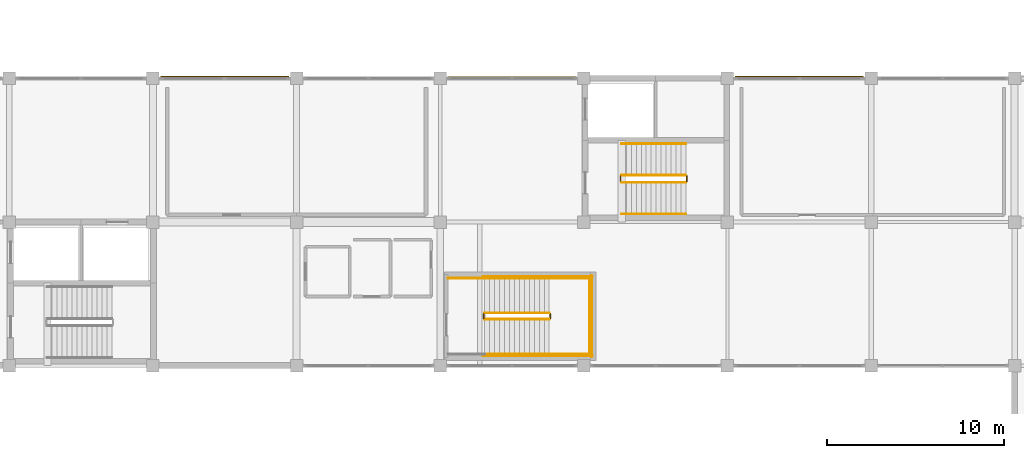
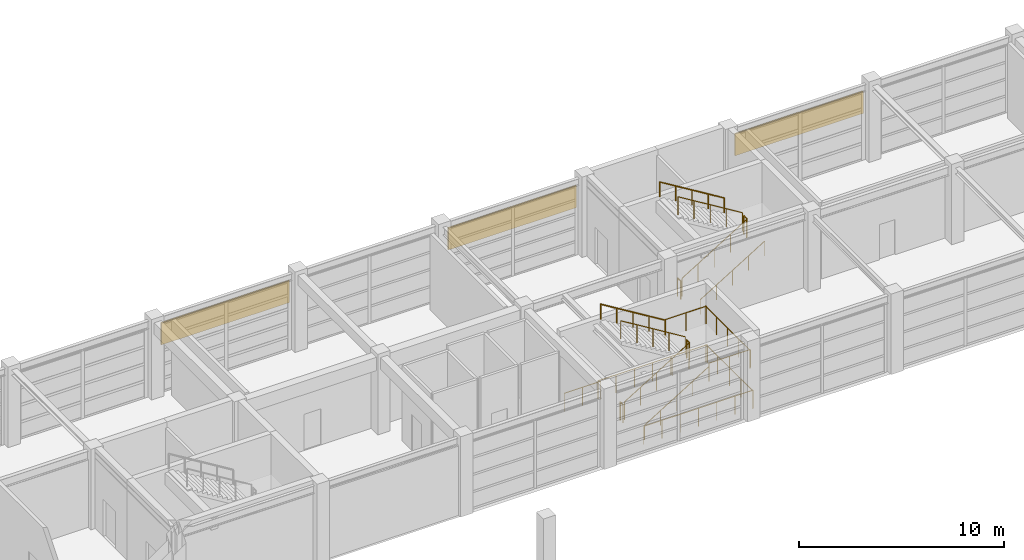
# One storey, part 57 of 58: 19 railings, 3 shading devices.
"""IFC4 building model written with IfcOpenShell, lengths in metres."""

from ifc_helpers import new_model, si_unit, direction, frame, origin, origin_2d, place, context, subcontext, project, spatial, rectangle, circle, extrude, material, layer, layer_set, type_object, element, save


model = new_model("IFC4")

# Units and contexts
model_context = context("Model", 3, precision=1e-05, world=origin(), true_north=direction((0.0, 1.0)))
body_context = subcontext(model_context, "Body", "Model", "MODEL_VIEW")
ifc_project = project(units=[si_unit("LENGTHUNIT", "METRE"), si_unit("AREAUNIT", "SQUARE_METRE"), si_unit("VOLUMEUNIT", "CUBIC_METRE"), si_unit("PLANEANGLEUNIT", "RADIAN"), si_unit("MASSUNIT", "GRAM", prefix="KILO")], contexts=[model_context])

# Site, building, storey
site_placement = place(None, origin())
site = spatial("IfcSite", under=ifc_project, at=site_placement, CompositionType="ELEMENT")
building_placement = place(site_placement, origin())
building = spatial("IfcBuilding", under=site, at=building_placement, Name="Parian Resonance Hall", CompositionType="ELEMENT")
storey_placement = place(building_placement, frame((0.0, 0.0, 10.199951171875)))
storey = spatial("IfcBuildingStorey", under=building, at=storey_placement, Name="L02", CompositionType="ELEMENT", Elevation=10.199951171875)

# Railings
ifc_material_1 = material(Name="Patinated bronze whiplash metalwork")
railing_type_1 = type_object("IfcRailingType", Name="RAIL-HALL-BAL-1120", PredefinedType="BALUSTRADE", material=ifc_material_1)
railing_1_placement = place(storey_placement, frame((83.510009765625, 75.510009765625, 0.17138671875)))
element("IfcRailing", 1, at=railing_1_placement, inside=storey, type_object=railing_type_1, Name="L02 ST-08 stair guard 1", PredefinedType="BALUSTRADE", context=body_context, shape_type="SweptSolid", body=[
    extrude(circle(Radius=0.02392578125, at=origin_2d()), frame((0.0, 0.0, 1.076171875), z_axis=(0.852824790078, 0.0, 0.522197163366), x_axis=(0.0, 1.0, 0.0)), (0.0, 0.0, 1.0), 4.26806640625),
    extrude(circle(Radius=0.02099609375, at=origin_2d()), origin(), (0.0, 0.0, 1.0), 1.052001953125),
    extrude(circle(Radius=0.02099609375, at=origin_2d()), frame((0.909912109375, 0.0, 0.55712890625)), (0.0, 0.0, 1.0), 1.052001953125),
    extrude(circle(Radius=0.02099609375, at=origin_2d()), frame((1.81982421875, 0.0, 1.1142578125)), (0.0, 0.0, 1.0), 1.052001953125),
    extrude(circle(Radius=0.02099609375, at=origin_2d()), frame((2.72998046875, 0.0, 1.671630859375)), (0.0, 0.0, 1.0), 1.052001953125),
    extrude(circle(Radius=0.02099609375, at=origin_2d()), frame((3.639892578125, 0.0, 2.228759765625)), (0.0, 0.0, 1.0), 1.052001953125),
])
railing_2_placement = place(storey_placement, frame((87.199951171875, 75.56005859375, 2.400146484375)))
element("IfcRailing", 2, at=railing_2_placement, inside=storey, type_object=railing_type_1, Name="L02 ST-08 stair guard 2", PredefinedType="BALUSTRADE", context=body_context, shape_type="SweptSolid", body=[
    extrude(circle(Radius=0.02392578125, at=origin_2d()), frame((0.0, 0.0, 1.076171875), z_axis=(0.0, 1.0, 0.0), x_axis=(-1.0, 0.0, 0.0)), (0.0, 0.0, 1.0), 0.260009765625),
    extrude(circle(Radius=0.02099609375, at=origin_2d()), origin(), (0.0, 0.0, 1.0), 1.052001953125),
    extrude(circle(Radius=0.02099609375, at=origin_2d()), frame((0.0, 0.260009765625, 0.0)), (0.0, 0.0, 1.0), 1.052001953125),
])
for number, where, name in (
    (3, (87.14990234375, 73.550048828125, 2.400146484375), "L02 ST-08 stair guard 3"),
    (4, (87.14990234375, 77.830078125, 2.400146484375), "L02 ST-08 stair guard 4"),
):
    element("IfcRailing", number, at=place(storey_placement, frame(where)), inside=storey, type_object=railing_type_1, Name=name, PredefinedType="BALUSTRADE", context=body_context, shape_type="SweptSolid", body=[
        extrude(circle(Radius=0.02392578125, at=origin_2d()), frame((0.0, 0.0, 1.076171875), z_axis=(1.0, 0.0, 0.0), x_axis=(0.0, 1.0, 0.0)), (0.0, 0.0, 1.0), 2.340087890625),
        extrude(circle(Radius=0.02099609375, at=origin_2d()), origin(), (0.0, 0.0, 1.0), 1.052001953125),
        extrude(circle(Radius=0.02099609375, at=origin_2d()), frame((1.169921875, 0.0, 0.0)), (0.0, 0.0, 1.0), 1.052001953125),
        extrude(circle(Radius=0.02099609375, at=origin_2d()), frame((2.340087890625, 0.0, 0.0)), (0.0, 0.0, 1.0), 1.052001953125),
    ])
railing_3_placement = place(storey_placement, frame((89.43994140625, 73.5, 2.400146484375)))
element("IfcRailing", 5, at=railing_3_placement, inside=storey, type_object=railing_type_1, Name="L02 ST-08 stair guard 5", PredefinedType="BALUSTRADE", context=body_context, shape_type="SweptSolid", body=[
    extrude(circle(Radius=0.02392578125, at=origin_2d()), frame((0.0, 0.0, 1.076171875), z_axis=(0.0, 1.0, 0.0), x_axis=(-1.0, 0.0, 0.0)), (0.0, 0.0, 1.0), 4.3798828125),
    extrude(circle(Radius=0.02099609375, at=origin_2d()), origin(), (0.0, 0.0, 1.0), 1.052001953125),
    extrude(circle(Radius=0.02099609375, at=origin_2d()), frame((0.0, 1.094970703125, 0.0)), (0.0, 0.0, 1.0), 1.052001953125),
    extrude(circle(Radius=0.02099609375, at=origin_2d()), frame((0.0, 2.18994140625, 0.0)), (0.0, 0.0, 1.0), 1.052001953125),
    extrude(circle(Radius=0.02099609375, at=origin_2d()), frame((0.0, 3.284912109375, 0.0)), (0.0, 0.0, 1.0), 1.052001953125),
    extrude(circle(Radius=0.02099609375, at=origin_2d()), frame((0.0, 4.3798828125, 0.0)), (0.0, 0.0, 1.0), 1.052001953125),
])
railing_4_placement = place(storey_placement, frame((87.14990234375, 75.8701171875, 2.571533203125)))
element("IfcRailing", 6, at=railing_4_placement, inside=storey, type_object=railing_type_1, Name="L02 ST-08 stair guard 6", PredefinedType="BALUSTRADE", context=body_context, shape_type="SweptSolid", body=[
    extrude(circle(Radius=0.02392578125, at=origin_2d()), frame((0.0, 0.0, 1.076171875), z_axis=(-0.852850264322, 0.0, 0.5221555579), x_axis=(0.0, -1.0, 0.0)), (0.0, 0.0, 1.0), 4.267822265625),
    extrude(circle(Radius=0.02099609375, at=origin_2d()), origin(), (0.0, 0.0, 1.0), 1.052001953125),
    extrude(circle(Radius=0.02099609375, at=origin_2d()), frame((-0.909912109375, 0.0, 0.55712890625)), (0.0, 0.0, 1.0), 1.052001953125),
    extrude(circle(Radius=0.02099609375, at=origin_2d()), frame((-1.81982421875, 0.0, 1.1142578125)), (0.0, 0.0, 1.0), 1.052001953125),
    extrude(circle(Radius=0.02099609375, at=origin_2d()), frame((-2.72998046875, 0.0, 1.67138671875)), (0.0, 0.0, 1.0), 1.052001953125),
    extrude(circle(Radius=0.02099609375, at=origin_2d()), frame((-3.639892578125, 0.0, 2.228515625)), (0.0, 0.0, 1.0), 1.052001953125),
])
railing_5_placement = place(storey_placement, frame((83.4599609375, 75.56005859375, 0.0)))
element("IfcRailing", 7, at=railing_5_placement, inside=storey, type_object=railing_type_1, Name="L02 ST-08 stair guard 7", PredefinedType="BALUSTRADE", context=body_context, shape_type="SweptSolid", body=[
    extrude(circle(Radius=0.02392578125, at=origin_2d()), frame((0.0, 0.0, 1.076171875), z_axis=(0.0, 1.0, 0.0), x_axis=(-1.0, 0.0, 0.0)), (0.0, 0.0, 1.0), 0.260009765625),
    extrude(circle(Radius=0.02099609375, at=origin_2d()), origin(), (0.0, 0.0, 1.0), 1.052001953125),
    extrude(circle(Radius=0.02099609375, at=origin_2d()), frame((0.0, 0.260009765625, 0.0)), (0.0, 0.0, 1.0), 1.052001953125),
])
railing_6_placement = place(storey_placement, frame((81.449951171875, 77.830078125, 0.0)))
element("IfcRailing", 8, at=railing_6_placement, inside=storey, type_object=railing_type_1, Name="L02 ST-08 stair guard 9", PredefinedType="BALUSTRADE", context=body_context, shape_type="SweptSolid", body=[
    extrude(circle(Radius=0.02392578125, at=origin_2d()), frame((0.0, 0.0, 1.076171875), z_axis=(1.0, 0.0, 0.0), x_axis=(0.0, 1.0, 0.0)), (0.0, 0.0, 1.0), 2.06005859375),
    extrude(circle(Radius=0.02099609375, at=origin_2d()), origin(), (0.0, 0.0, 1.0), 1.052001953125),
    extrude(circle(Radius=0.02099609375, at=origin_2d()), frame((1.030029296875, 0.0, 0.0)), (0.0, 0.0, 1.0), 1.052001953125),
    extrude(circle(Radius=0.02099609375, at=origin_2d()), frame((2.06005859375, 0.0, 0.0)), (0.0, 0.0, 1.0), 1.052001953125),
])
for number, where, name in (
    (9, (83.409912109375, 73.449951171875, 0.0), "L02 ST-08 stair guard 10"),
    (10, (83.409912109375, 77.929931640625, 0.0), "L02 ST-08 stair guard 11"),
):
    element("IfcRailing", number, at=place(storey_placement, frame(where)), inside=storey, type_object=railing_type_1, Name=name, PredefinedType="BALUSTRADE", context=body_context, shape_type="SweptSolid", body=[
        extrude(circle(Radius=0.02392578125, at=origin_2d()), frame((0.0, 0.0, 1.076171875), z_axis=(1.0, 0.0, 0.0), x_axis=(0.0, 1.0, 0.0)), (0.0, 0.0, 1.0), 6.18017578125),
        extrude(circle(Radius=0.02099609375, at=origin_2d()), origin(), (0.0, 0.0, 1.0), 1.052001953125),
        extrude(circle(Radius=0.02099609375, at=origin_2d()), frame((1.030029296875, 0.0, 0.0)), (0.0, 0.0, 1.0), 1.052001953125),
        extrude(circle(Radius=0.02099609375, at=origin_2d()), frame((2.06005859375, 0.0, 0.0)), (0.0, 0.0, 1.0), 1.052001953125),
        extrude(circle(Radius=0.02099609375, at=origin_2d()), frame((3.090087890625, 0.0, 0.0)), (0.0, 0.0, 1.0), 1.052001953125),
        extrude(circle(Radius=0.02099609375, at=origin_2d()), frame((4.1201171875, 0.0, 0.0)), (0.0, 0.0, 1.0), 1.052001953125),
        extrude(circle(Radius=0.02099609375, at=origin_2d()), frame((5.150146484375, 0.0, 0.0)), (0.0, 0.0, 1.0), 1.052001953125),
        extrude(circle(Radius=0.02099609375, at=origin_2d()), frame((6.18017578125, 0.0, 0.0)), (0.0, 0.0, 1.0), 1.052001953125),
    ])
railing_7_placement = place(storey_placement, frame((89.5400390625, 73.39990234375, 0.0)))
element("IfcRailing", 11, at=railing_7_placement, inside=storey, type_object=railing_type_1, Name="L02 ST-08 stair guard 12", PredefinedType="BALUSTRADE", context=body_context, shape_type="SweptSolid", body=[
    extrude(circle(Radius=0.02392578125, at=origin_2d()), frame((0.0, 0.0, 1.076171875), z_axis=(0.0, 1.0, 0.0), x_axis=(-1.0, 0.0, 0.0)), (0.0, 0.0, 1.0), 4.580078125),
    extrude(circle(Radius=0.02099609375, at=origin_2d()), origin(), (0.0, 0.0, 1.0), 1.052001953125),
    extrude(circle(Radius=0.02099609375, at=origin_2d()), frame((0.0, 1.14501953125, 0.0)), (0.0, 0.0, 1.0), 1.052001953125),
    extrude(circle(Radius=0.02099609375, at=origin_2d()), frame((0.0, 2.2900390625, 0.0)), (0.0, 0.0, 1.0), 1.052001953125),
    extrude(circle(Radius=0.02099609375, at=origin_2d()), frame((0.0, 3.43505859375, 0.0)), (0.0, 0.0, 1.0), 1.052001953125),
    extrude(circle(Radius=0.02099609375, at=origin_2d()), frame((0.0, 4.580078125, 0.0)), (0.0, 0.0, 1.0), 1.052001953125),
])
ifc_material_2 = material(Name="Patinated bronze whiplash metalwork")
railing_type_2 = type_object("IfcRailingType", Name="RAIL-STAIR-GRD-1100", PredefinedType="GUARDRAIL", material=ifc_material_2)
railing_8_placement = place(storey_placement, frame((91.219970703125, 83.22998046875, 0.17138671875)))
element("IfcRailing", 12, at=railing_8_placement, inside=storey, type_object=railing_type_2, Name="L02 ST-05 stair guard 1", PredefinedType="GUARDRAIL", context=body_context, shape_type="SweptSolid", body=[
    extrude(circle(Radius=0.02392578125, at=origin_2d()), frame((0.0, 0.0, 1.076171875), z_axis=(0.852840387347, 0.0, 0.522171689878), x_axis=(0.0, 1.0, 0.0)), (0.0, 0.0, 1.0), 4.268310546875),
    extrude(circle(Radius=0.02099609375, at=origin_2d()), origin(), (0.0, 0.0, 1.0), 1.052001953125),
    extrude(circle(Radius=0.02099609375, at=origin_2d()), frame((0.91015625, 0.0, 0.55712890625)), (0.0, 0.0, 1.0), 1.052001953125),
    extrude(circle(Radius=0.02099609375, at=origin_2d()), frame((1.820068359375, 0.0, 1.1142578125)), (0.0, 0.0, 1.0), 1.052001953125),
    extrude(circle(Radius=0.02099609375, at=origin_2d()), frame((2.72998046875, 0.0, 1.671630859375)), (0.0, 0.0, 1.0), 1.052001953125),
    extrude(circle(Radius=0.02099609375, at=origin_2d()), frame((3.64013671875, 0.0, 2.228759765625)), (0.0, 0.0, 1.0), 1.052001953125),
])
railing_9_placement = place(storey_placement, frame((94.909912109375, 83.280029296875, 2.400146484375)))
element("IfcRailing", 13, at=railing_9_placement, inside=storey, type_object=railing_type_2, Name="L02 ST-05 stair guard 2", PredefinedType="GUARDRAIL", context=body_context, shape_type="SweptSolid", body=[
    extrude(circle(Radius=0.02392578125, at=origin_2d()), frame((0.0, 0.0, 1.076171875), z_axis=(0.0, 1.0, 0.0), x_axis=(-1.0, 0.0, 0.0)), (0.0, 0.0, 1.0), 0.300048828125),
    extrude(circle(Radius=0.02099609375, at=origin_2d()), origin(), (0.0, 0.0, 1.0), 1.052001953125),
    extrude(circle(Radius=0.02099609375, at=origin_2d()), frame((0.0, 0.300048828125, 0.0)), (0.0, 0.0, 1.0), 1.052001953125),
])
railing_10_placement = place(storey_placement, frame((94.860107421875, 83.6298828125, 2.571533203125)))
element("IfcRailing", 14, at=railing_10_placement, inside=storey, type_object=railing_type_2, Name="L02 ST-05 stair guard 3", PredefinedType="GUARDRAIL", context=body_context, shape_type="SweptSolid", body=[
    extrude(circle(Radius=0.02392578125, at=origin_2d()), frame((0.0, 0.0, 1.076171875), z_axis=(-0.852865859571, 0.0, 0.52213008492), x_axis=(0.0, -1.0, 0.0)), (0.0, 0.0, 1.0), 4.26806640625),
    extrude(circle(Radius=0.02099609375, at=origin_2d()), origin(), (0.0, 0.0, 1.0), 1.052001953125),
    extrude(circle(Radius=0.02099609375, at=origin_2d()), frame((-0.91015625, 0.0, 0.55712890625)), (0.0, 0.0, 1.0), 1.052001953125),
    extrude(circle(Radius=0.02099609375, at=origin_2d()), frame((-1.820068359375, 0.0, 1.1142578125)), (0.0, 0.0, 1.0), 1.052001953125),
    extrude(circle(Radius=0.02099609375, at=origin_2d()), frame((-2.72998046875, 0.0, 1.67138671875)), (0.0, 0.0, 1.0), 1.052001953125),
    extrude(circle(Radius=0.02099609375, at=origin_2d()), frame((-3.64013671875, 0.0, 2.228515625)), (0.0, 0.0, 1.0), 1.052001953125),
])
railing_11_placement = place(storey_placement, frame((91.169921875, 83.280029296875, 0.0)))
element("IfcRailing", 15, at=railing_11_placement, inside=storey, type_object=railing_type_2, Name="L02 ST-05 stair guard 4", PredefinedType="GUARDRAIL", context=body_context, shape_type="SweptSolid", body=[
    extrude(circle(Radius=0.02392578125, at=origin_2d()), frame((0.0, 0.0, 1.076171875), z_axis=(0.0, 1.0, 0.0), x_axis=(-1.0, 0.0, 0.0)), (0.0, 0.0, 1.0), 0.300048828125),
    extrude(circle(Radius=0.02099609375, at=origin_2d()), origin(), (0.0, 0.0, 1.0), 1.052001953125),
    extrude(circle(Radius=0.02099609375, at=origin_2d()), frame((0.0, 0.300048828125, 0.0)), (0.0, 0.0, 1.0), 1.052001953125),
])
ifc_material_3 = material(Name="Patinated bronze whiplash metalwork")
railing_type_3 = type_object("IfcRailingType", Name="RAIL-STAIR-HR-900", PredefinedType="HANDRAIL", material=ifc_material_3)
railing_12_placement = place(storey_placement, frame((91.219970703125, 81.449951171875, 0.17138671875)))
element("IfcRailing", 16, at=railing_12_placement, inside=storey, type_object=railing_type_3, Name="L02 ST-05 stair handrail 1", PredefinedType="HANDRAIL", context=body_context, shape_type="SweptSolid", body=[
    extrude(circle(Radius=0.02392578125, at=origin_2d()), frame((0.0, 0.0, 0.8759765625), z_axis=(0.852840387347, 0.0, 0.522171689878), x_axis=(0.0, 1.0, 0.0)), (0.0, 0.0, 1.0), 4.268310546875),
    extrude(circle(Radius=0.02099609375, at=origin_2d()), origin(), (0.0, 0.0, 1.0), 0.851806640625),
    extrude(circle(Radius=0.02099609375, at=origin_2d()), frame((0.91015625, 0.0, 0.55712890625)), (0.0, 0.0, 1.0), 0.851806640625),
    extrude(circle(Radius=0.02099609375, at=origin_2d()), frame((1.820068359375, 0.0, 1.1142578125)), (0.0, 0.0, 1.0), 0.851806640625),
    extrude(circle(Radius=0.02099609375, at=origin_2d()), frame((2.72998046875, 0.0, 1.671630859375)), (0.0, 0.0, 1.0), 0.851806640625),
    extrude(circle(Radius=0.02099609375, at=origin_2d()), frame((3.64013671875, 0.0, 2.228759765625)), (0.0, 0.0, 1.0), 0.851806640625),
])
railing_13_placement = place(storey_placement, frame((94.860107421875, 85.409912109375, 2.571533203125)))
element("IfcRailing", 17, at=railing_13_placement, inside=storey, type_object=railing_type_3, Name="L02 ST-05 stair handrail 2", PredefinedType="HANDRAIL", context=body_context, shape_type="SweptSolid", body=[
    extrude(circle(Radius=0.02392578125, at=origin_2d()), frame((0.0, 0.0, 0.8759765625), z_axis=(-0.852865859571, 0.0, 0.52213008492), x_axis=(0.0, -1.0, 0.0)), (0.0, 0.0, 1.0), 4.26806640625),
    extrude(circle(Radius=0.02099609375, at=origin_2d()), origin(), (0.0, 0.0, 1.0), 0.851806640625),
    extrude(circle(Radius=0.02099609375, at=origin_2d()), frame((-0.91015625, 0.0, 0.55712890625)), (0.0, 0.0, 1.0), 0.851806640625),
    extrude(circle(Radius=0.02099609375, at=origin_2d()), frame((-1.820068359375, 0.0, 1.1142578125)), (0.0, 0.0, 1.0), 0.851806640625),
    extrude(circle(Radius=0.02099609375, at=origin_2d()), frame((-2.72998046875, 0.0, 1.67138671875)), (0.0, 0.0, 1.0), 0.851806640625),
    extrude(circle(Radius=0.02099609375, at=origin_2d()), frame((-3.64013671875, 0.0, 2.228515625)), (0.0, 0.0, 1.0), 0.851806640625),
])
railing_14_placement = place(storey_placement, frame((83.510009765625, 73.550048828125, 0.17138671875)))
element("IfcRailing", 18, at=railing_14_placement, inside=storey, type_object=railing_type_3, Name="L02 ST-08 stair handrail 1", PredefinedType="HANDRAIL", context=body_context, shape_type="SweptSolid", body=[
    extrude(circle(Radius=0.02392578125, at=origin_2d()), frame((0.0, 0.0, 0.8759765625), z_axis=(0.852824790078, 0.0, 0.522197163366), x_axis=(0.0, 1.0, 0.0)), (0.0, 0.0, 1.0), 4.26806640625),
    extrude(circle(Radius=0.02099609375, at=origin_2d()), origin(), (0.0, 0.0, 1.0), 0.851806640625),
    extrude(circle(Radius=0.02099609375, at=origin_2d()), frame((0.909912109375, 0.0, 0.55712890625)), (0.0, 0.0, 1.0), 0.851806640625),
    extrude(circle(Radius=0.02099609375, at=origin_2d()), frame((1.81982421875, 0.0, 1.1142578125)), (0.0, 0.0, 1.0), 0.851806640625),
    extrude(circle(Radius=0.02099609375, at=origin_2d()), frame((2.72998046875, 0.0, 1.671630859375)), (0.0, 0.0, 1.0), 0.851806640625),
    extrude(circle(Radius=0.02099609375, at=origin_2d()), frame((3.639892578125, 0.0, 2.228759765625)), (0.0, 0.0, 1.0), 0.851806640625),
])
railing_15_placement = place(storey_placement, frame((87.14990234375, 77.830078125, 2.571533203125)))
element("IfcRailing", 19, at=railing_15_placement, inside=storey, type_object=railing_type_3, Name="L02 ST-08 stair handrail 2", PredefinedType="HANDRAIL", context=body_context, shape_type="SweptSolid", body=[
    extrude(circle(Radius=0.02392578125, at=origin_2d()), frame((0.0, 0.0, 0.8759765625), z_axis=(-0.852850264322, 0.0, 0.5221555579), x_axis=(0.0, -1.0, 0.0)), (0.0, 0.0, 1.0), 4.267822265625),
    extrude(circle(Radius=0.02099609375, at=origin_2d()), origin(), (0.0, 0.0, 1.0), 0.851806640625),
    extrude(circle(Radius=0.02099609375, at=origin_2d()), frame((-0.909912109375, 0.0, 0.55712890625)), (0.0, 0.0, 1.0), 0.851806640625),
    extrude(circle(Radius=0.02099609375, at=origin_2d()), frame((-1.81982421875, 0.0, 1.1142578125)), (0.0, 0.0, 1.0), 0.851806640625),
    extrude(circle(Radius=0.02099609375, at=origin_2d()), frame((-2.72998046875, 0.0, 1.67138671875)), (0.0, 0.0, 1.0), 0.851806640625),
    extrude(circle(Radius=0.02099609375, at=origin_2d()), frame((-3.639892578125, 0.0, 2.228515625)), (0.0, 0.0, 1.0), 0.851806640625),
])

# Shading devices
ifc_material_4 = material(Name="Patinated bronze persiana louver")
ifc_layer = layer(ifc_material_4, 0.080078125)
ifc_layer_set = layer_set([ifc_layer], Name="Patinated bronze persiana louver")
shading_device_type = type_object("IfcShadingDeviceType", Name="SHD-PERSIANA-JAL", PredefinedType="JALOUSIE", material=ifc_layer_set)
for number, where, z_axis, x_axis, name in (
    (20, (68.85009765625, 89.172607421875, 2.787109375), (0.0, 0.0, 1.0), (1.0, 0.0, 0.0), "Bronze persiana storm jalousie L02-042"),
    (21, (85.050048828125, 89.16748046875, 2.787109375), (0.0, 0.0, 1.0), (1.0, 0.0, 0.0), "Bronze persiana storm jalousie L02-045"),
    (22, (101.25, 89.172607421875, 2.73681640625), (0.0, 0.0, 1.0), (1.0, 0.0, 0.0), "Bronze persiana storm jalousie L02-047"),
):
    element("IfcShadingDevice", number, at=place(storey_placement, frame(where, z_axis=z_axis, x_axis=x_axis)), inside=storey, type_object=shading_device_type, Name=name, PredefinedType="JALOUSIE", context=body_context, shape_type="SweptSolid", body=[
        extrude(rectangle(XDim=7.239990234375, YDim=0.080078125, at=origin_2d()), origin(), (0.0, 0.0, 1.0), 1.300048828125),
    ])

save(model, "model.ifc")
